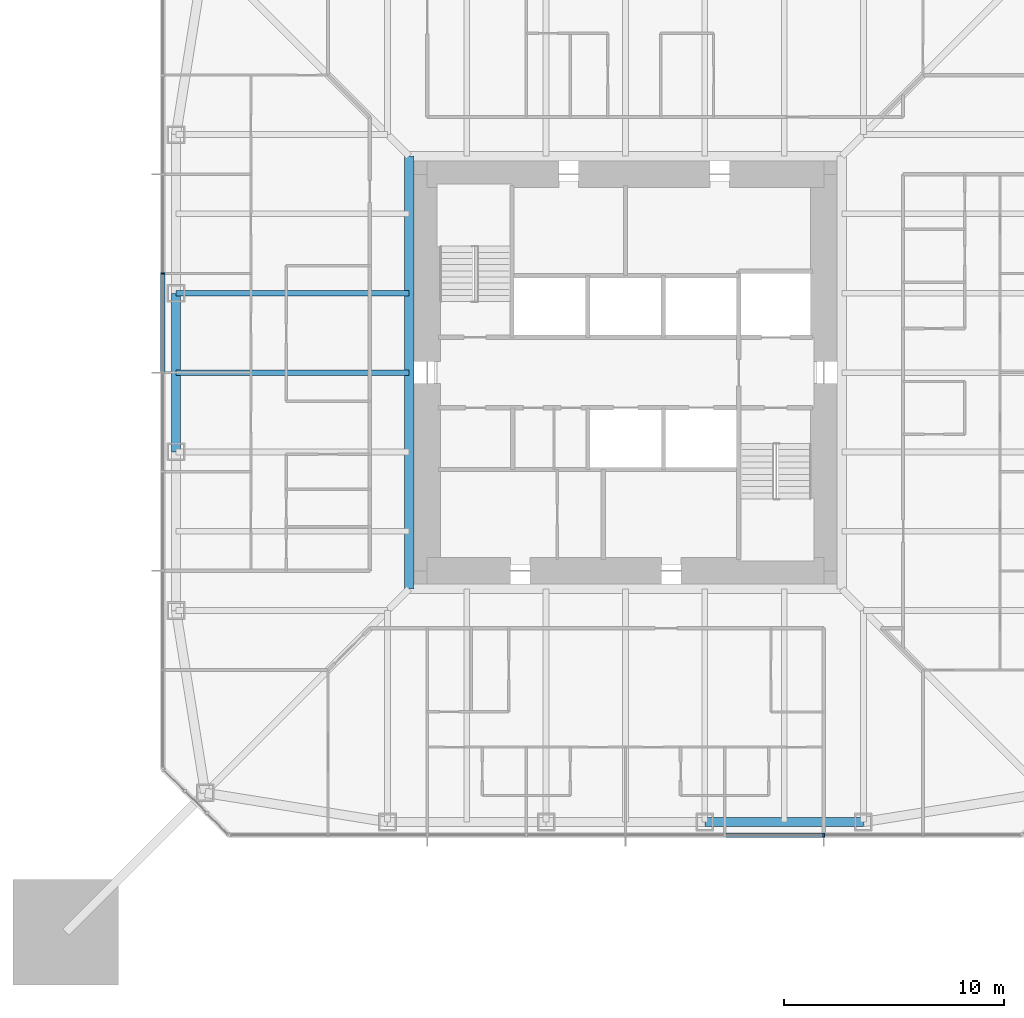
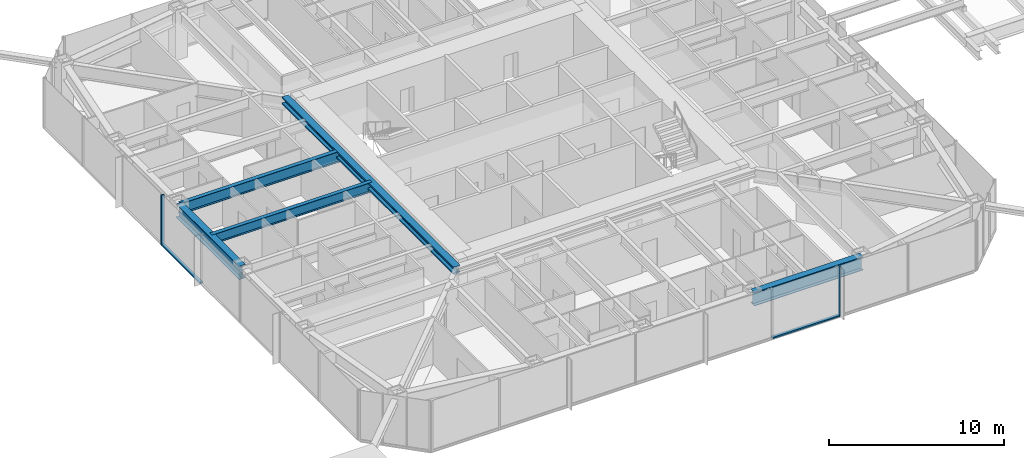
# One storey, part 4 of 27: 5 beams, 4 members, 2 elements without a shape of their own.
"""IFC4 building model written with IfcOpenShell, lengths in metres."""

import ifcopenshell
import ifcopenshell.guid

model = None  # the IFC model being written
_history = None  # IfcOwnerHistory: only IFC2X3 demands one
_inside = {}  # id of a spatial element -> (the spatial element, [elements in it])
_under = {}  # id of a project, library or spatial element -> (it, [spatial elements below it])
_declared = {}  # id of a project -> (the project, [libraries it declares])
_typed = {}  # id of a type object -> (the type object, [elements of that type])
_made_of = {}  # id of a material, layer set ... -> (it, [elements and type objects made of it])


def new_model(schema):
    """Start an empty IFC model of exactly this schema.

    Asked for "IFC4X3", IfcOpenShell would pick the latest addendum, in which some entities
    have other attributes; the version numbers below select the first issue.
    IFC2X3 requires an IfcOwnerHistory on every rooted entity: one is made here for all.
    """
    global model, _history
    if schema == "IFC4X3":
        model = ifcopenshell.file(schema_version=(4, 3, 0, 0))
    else:
        model = ifcopenshell.file(schema=schema)
    _inside.clear()
    _under.clear()
    _declared.clear()
    _typed.clear()
    _made_of.clear()
    _history = None
    if model.schema == "IFC2X3":
        org = make("IfcOrganization", Name="unknown")
        user = make(
            "IfcPersonAndOrganization",
            ThePerson=make("IfcPerson", FamilyName="unknown"),
            TheOrganization=org,
        )
        app = make(
            "IfcApplication",
            ApplicationDeveloper=org,
            Version="unknown",
            ApplicationFullName="unknown",
            ApplicationIdentifier="unknown",
        )
        _history = make(
            "IfcOwnerHistory",
            OwningUser=user,
            OwningApplication=app,
            ChangeAction="ADDED",
            CreationDate=0,
        )
    return model


def make(cls, **values):
    """One entity of the class cls with the attributes given. An attribute that is None is left unset."""
    return model.create_entity(
        cls, **{name: value for name, value in values.items() if value is not None}
    )


def rooted(cls, **values):
    """An entity with a GlobalId (a new one), such as an element, a storey or a relation."""
    return make(cls, GlobalId=ifcopenshell.guid.new(), OwnerHistory=_history, **values)


def si_unit(unit_type, name, prefix=None):
    """IfcSIUnit, for example si_unit("LENGTHUNIT", "METRE", prefix="MILLI")."""
    return make("IfcSIUnit", UnitType=unit_type, Prefix=prefix, Name=name)


def assignment(units):
    """IfcUnitAssignment: the units of a project."""
    return None if units is None else make("IfcUnitAssignment", Units=units)


def point(xyz):
    """IfcCartesianPoint."""
    return None if xyz is None else make("IfcCartesianPoint", Coordinates=xyz)


def direction(xyz):
    """IfcDirection."""
    return None if xyz is None else make("IfcDirection", DirectionRatios=xyz)


def frame(location, z_axis=None, x_axis=None):
    """IfcAxis2Placement3D, a coordinate frame: its origin and axes. An axis left out is left unset."""
    return make(
        "IfcAxis2Placement3D",
        Location=point(location),
        Axis=direction(z_axis),
        RefDirection=direction(x_axis),
    )


def frame_2d(location, x_axis=None):
    """IfcAxis2Placement2D, a coordinate frame in the plane: its origin and x axis."""
    return make(
        "IfcAxis2Placement2D", Location=point(location), RefDirection=direction(x_axis)
    )


def origin():
    """The frame at (0, 0, 0) with its axes left unset."""
    return frame((0.0, 0.0, 0.0))


def origin_2d():
    """The frame at (0, 0) in the plane with its x axis left unset."""
    return frame_2d((0.0, 0.0))


def place(relative_to, where):
    """IfcLocalPlacement: puts the frame where relative to a parent placement (None: the world)."""
    return make(
        "IfcLocalPlacement", PlacementRelTo=relative_to, RelativePlacement=where
    )


def context(
    kind, dimensions, precision=None, world=None, true_north=None, identifier=None
):
    """IfcGeometricRepresentationContext, for example the 3D "Model" context."""
    return make(
        "IfcGeometricRepresentationContext",
        ContextIdentifier=identifier,
        ContextType=kind,
        CoordinateSpaceDimension=dimensions,
        Precision=precision,
        WorldCoordinateSystem=world,
        TrueNorth=true_north,
    )


def subcontext(parent, identifier, kind, view, scale=None):
    """IfcGeometricRepresentationSubContext, for example "Body" below "Model"."""
    return make(
        "IfcGeometricRepresentationSubContext",
        ContextIdentifier=identifier,
        ContextType=kind,
        ParentContext=parent,
        TargetScale=scale,
        TargetView=view,
    )


def project(units=None, contexts=None):
    """IfcProject with its units and contexts."""
    return rooted(
        "IfcProject",
        Name="project",
        RepresentationContexts=contexts,
        UnitsInContext=assignment(units),
    )


def spatial(cls, under=None, at=None, **own):
    """A site, building, storey or space (cls), placed at a placement, below another one or the project."""
    s = rooted(cls, ObjectPlacement=at, **own)
    if under is not None:
        _under.setdefault(under.id(), (under, []))[1].append(s)
    return s


def profile(cls, at=None, kind="AREA", **sizes):
    """A parametric profile (cls). Its sizes go by their IFC names, for example OverallWidth=200.0."""
    return make(cls, ProfileType=kind, Position=at, **sizes)


def rectangle(**sizes):
    """IfcRectangleProfileDef."""
    return profile("IfcRectangleProfileDef", **sizes)


def i_section(**sizes):
    """IfcIShapeProfileDef."""
    return profile("IfcIShapeProfileDef", **sizes)


def extrude(swept, where, along, depth):
    """IfcExtrudedAreaSolid: the profile swept, set in the frame where, extruded along a direction by depth."""
    return make(
        "IfcExtrudedAreaSolid",
        SweptArea=swept,
        Position=where,
        ExtrudedDirection=direction(along),
        Depth=depth,
    )


def shape(context_of_items, identifier, shape_type, items):
    """IfcShapeRepresentation: the items that make up one representation, for example the "Body"."""
    return make(
        "IfcShapeRepresentation",
        ContextOfItems=context_of_items,
        RepresentationIdentifier=identifier,
        RepresentationType=shape_type,
        Items=items,
    )


def material(Name=None, Category=None):
    """IfcMaterial."""
    return make("IfcMaterial", Name=Name, Category=Category)


def material_profile(
    of_material, cross_section, Name=None, Category=None, Priority=None
):
    """IfcMaterialProfile: a cross section and its material."""
    return make(
        "IfcMaterialProfile",
        Name=Name,
        Material=of_material,
        Profile=cross_section,
        Priority=Priority,
        Category=Category,
    )


def profile_set(profiles, Name=None, composite=None):
    """IfcMaterialProfileSet."""
    return make(
        "IfcMaterialProfileSet",
        Name=Name,
        MaterialProfiles=profiles,
        CompositeProfile=composite,
    )


def made_of(thing, what):
    """Note that an element or type object is made of a material, layer set ...; save() writes the relation."""
    if what is not None:
        _made_of.setdefault(what.id(), (what, []))[1].append(thing)
    return thing


def type_object(cls, material=None, **own):
    """A type object (cls), such as IfcWallType, which elements share."""
    return made_of(rooted(cls, **own), material)


def element(
    cls,
    number,
    at=None,
    inside=None,
    cuts=None,
    type_object=None,
    material=None,
    context=None,
    identifier="Body",
    shape_type=None,
    held_by="IfcProductDefinitionShape",
    body=None,
    shapes=None,
    **own,
):
    """One element of the class cls, such as IfcWall. Its Tag is "e" and its number.

    at: its placement. inside: the storey or other place that contains it. cuts: it is an
    opening in that element (IfcRelVoidsElement). A single representation is given by context,
    identifier, shape_type and body (its items); several are given by shapes. held_by: the class
    of the entity that holds the representations. save() writes the other relations.
    """
    e = rooted(cls, Tag="e%d" % number, ObjectPlacement=at, **own)
    if body is not None:
        shapes = [shape(context, identifier, shape_type, body)]
    if shapes is not None:
        e.Representation = make(held_by, Representations=shapes)
    if inside is not None:
        _inside.setdefault(inside.id(), (inside, []))[1].append(e)
    if cuts is not None:
        rooted(
            "IfcRelVoidsElement", RelatingBuildingElement=cuts, RelatedOpeningElement=e
        )
    if type_object is not None:
        _typed.setdefault(type_object.id(), (type_object, []))[1].append(e)
    return made_of(e, material)


def aggregate(whole, parts):
    """IfcRelAggregates: a whole, such as a stair, and the parts it consists of."""
    return rooted("IfcRelAggregates", RelatingObject=whole, RelatedObjects=parts)


def save(model, path):
    """Write the relations noted so far, then the file.

    IfcRelAggregates (storeys below a building ...), IfcRelContainedInSpatialStructure (elements
    in a storey), IfcRelDefinesByType, IfcRelAssociatesMaterial and IfcRelDeclares: one each for
    every whole, place, type object, material and project.
    """
    for whole, parts in _under.values():
        aggregate(whole, parts)
    for where, things in _inside.values():
        rooted(
            "IfcRelContainedInSpatialStructure",
            RelatedElements=things,
            RelatingStructure=where,
        )
    for kind, things in _typed.values():
        rooted("IfcRelDefinesByType", RelatedObjects=things, RelatingType=kind)
    for what, things in _made_of.values():
        rooted("IfcRelAssociatesMaterial", RelatedObjects=things, RelatingMaterial=what)
    for by, libraries in _declared.values():
        rooted("IfcRelDeclares", RelatingContext=by, RelatedDefinitions=libraries)
    model.write(path)


model = new_model("IFC4")

# Units and contexts
model_context = context("Model", 3, precision=1e-05, world=origin(), true_north=direction((0.0, 1.0)))
body_context = subcontext(model_context, "Body", "Model", "MODEL_VIEW")
ifc_project = project(units=[si_unit("LENGTHUNIT", "METRE"), si_unit("AREAUNIT", "SQUARE_METRE"), si_unit("VOLUMEUNIT", "CUBIC_METRE"), si_unit("PLANEANGLEUNIT", "RADIAN"), si_unit("MASSUNIT", "GRAM", prefix="KILO")], contexts=[model_context])

# Site, building, storey
site_placement = place(None, origin())
site = spatial("IfcSite", under=ifc_project, at=site_placement, CompositionType="ELEMENT")
building_placement = place(site_placement, origin())
building = spatial("IfcBuilding", under=site, at=building_placement, Name="Iwan Alto Co-Living Towers", CompositionType="ELEMENT")
storey_placement = place(building_placement, frame((0.0, 0.0, 94.5)))
storey = spatial("IfcBuildingStorey", under=building, at=storey_placement, Name="L25", CompositionType="ELEMENT", Elevation=94.5)

# Curtain wall, member
ifc_material_1 = material(Name="Bronze aluminium unitised frame", Category="aluminium")
curtain_wall_type = type_object("IfcCurtainWallType", Name="CURTAIN WALL CW-A", PredefinedType="NOTDEFINED", material=ifc_material_1)
curtain_wall_1_placement = place(storey_placement, origin())
curtain_wall_1 = element("IfcCurtainWall", 1, at=curtain_wall_1_placement, inside=storey, type_object=curtain_wall_type, Name="T1 curtain wall S L25", PredefinedType="NOTDEFINED")
ifc_material_2 = material(Name="Aluminium 6063-T6 bronze anodised", Category="aluminium")
ifc_material_profile_1 = material_profile(ifc_material_2, rectangle(XDim=0.199951171875, YDim=0.080078125, at=origin_2d()), Name="AL 80X200")
ifc_profile_set_1 = profile_set([ifc_material_profile_1], Name="Aluminium 6063-T6 bronze anodised")
member_type_1 = type_object("IfcMemberType", Name="CW-A MULLION 80X200", PredefinedType="MULLION", material=ifc_profile_set_1)
member_1_placement = place(storey_placement, frame((9.0, -21.0, 0.0), z_axis=(0.0, 0.0, 1.0), x_axis=(0.0, 1.0, 0.0)))
member_1 = element("IfcMember", 2, at=member_1_placement, type_object=member_type_1, Name="CW-A mullion 7", PredefinedType="MULLION", context=body_context, shape_type="SweptSolid", body=[
    extrude(rectangle(XDim=0.199951171875, YDim=0.080078125, at=origin_2d()), origin(), (0.0, 0.0, 1.0), 3.5),
])

curtain_wall_2_placement = place(storey_placement, origin())
curtain_wall_2 = element("IfcCurtainWall", 3, at=curtain_wall_2_placement, inside=storey, type_object=curtain_wall_type, Name="T1 curtain wall W L25", PredefinedType="NOTDEFINED")
member_2_placement = place(storey_placement, frame((-21.0, 4.5, 0.0), z_axis=(0.0, 0.0, 1.0), x_axis=(1.0, 0.0, 0.0)))
member_2 = element("IfcMember", 4, at=member_2_placement, type_object=member_type_1, Name="CW-A mullion 4", PredefinedType="MULLION", context=body_context, shape_type="SweptSolid", body=[
    extrude(rectangle(XDim=0.199951171875, YDim=0.080078125, at=origin_2d()), origin(), (0.0, 0.0, 1.0), 3.5),
])

# Member
ifc_material_3 = material(Name="Aluminium 6063-T6 bronze anodised", Category="aluminium")
ifc_material_profile_2 = material_profile(ifc_material_3, rectangle(XDim=0.199951171875, YDim=0.10009765625, at=origin_2d()), Name="AL 200X100")
ifc_profile_set_2 = profile_set([ifc_material_profile_2], Name="Aluminium 6063-T6 bronze anodised")
member_type_2 = type_object("IfcMemberType", Name="CW-A TRANSOM 200X100", PredefinedType="USERDEFINED", material=ifc_profile_set_2)
member_3_placement = place(storey_placement, frame((4.5400390625, -21.0, 0.050048828125), z_axis=(1.0, 0.0, 0.0), x_axis=(0.0, 1.0, 0.0)))
member_3 = element("IfcMember", 5, at=member_3_placement, type_object=member_type_2, Name="CW-A transom 6.1", ObjectType="TRANSOM", PredefinedType="USERDEFINED", context=body_context, shape_type="SweptSolid", body=[
    extrude(rectangle(XDim=0.199951171875, YDim=0.10009765625, at=origin_2d()), origin(), (0.0, 0.0, 1.0), 4.419921875),
])

aggregate(curtain_wall_1, [member_1, member_3])

member_4_placement = place(storey_placement, frame((-21.0, 4.4599609375, 0.050048828125), z_axis=(0.0, -1.0, 0.0), x_axis=(1.0, 0.0, 0.0)))
member_4 = element("IfcMember", 6, at=member_4_placement, type_object=member_type_2, Name="CW-A transom 4.1", ObjectType="TRANSOM", PredefinedType="USERDEFINED", context=body_context, shape_type="SweptSolid", body=[
    extrude(rectangle(XDim=0.199951171875, YDim=0.10009765625, at=origin_2d()), origin(), (0.0, 0.0, 1.0), 4.419921875),
])

aggregate(curtain_wall_2, [member_2, member_4])

# Beams
ifc_material_4 = material(Name="Steel ASTM A992 Gr 50", Category="steel")
ifc_material_profile_3 = material_profile(ifc_material_4, i_section(OverallWidth=0.436767578125, OverallDepth=0.51318359375, WebThickness=0.060546875, FlangeThickness=0.096923828125, at=origin_2d()), Name="W14X550")
ifc_profile_set_3 = profile_set([ifc_material_profile_3], Name="Steel ASTM A992 Gr 50")
beam_type_1 = type_object("IfcBeamType", Name="T1 CORE LEDGER BEAM W14X550", PredefinedType="BEAM", material=ifc_profile_set_3)
beam_1_placement = place(storey_placement, frame((-9.818359375, 9.818359375, 3.013427734375), z_axis=(0.0, -1.0, 0.0), x_axis=(1.0, 0.0, 0.0)))
element("IfcBeam", 7, at=beam_1_placement, inside=storey, type_object=beam_type_1, Name="T1 core ledger beam W L26", PredefinedType="BEAM", context=body_context, shape_type="SweptSolid", body=[
    extrude(i_section(OverallWidth=0.436767578125, OverallDepth=0.51318359375, WebThickness=0.060546875, FlangeThickness=0.096923828125, at=origin_2d()), origin(), (0.0, 0.0, 1.0), 19.63671875),
])
ifc_material_5 = material(Name="Steel ASTM A992 Gr 50", Category="steel")
ifc_material_profile_4 = material_profile(ifc_material_5, i_section(OverallWidth=0.424072265625, OverallDepth=0.947509765625, WebThickness=0.02392578125, FlangeThickness=0.042724609375, at=origin_2d()), Name="W36X302")
ifc_profile_set_4 = profile_set([ifc_material_profile_4], Name="Steel ASTM A992 Gr 50")
beam_type_2 = type_object("IfcBeamType", Name="T1 EDGE BEAM W36X302", PredefinedType="BEAM", material=ifc_profile_set_4)
beam_2_placement = place(storey_placement, frame((3.60009765625, -20.39990234375, 2.79638671875), z_axis=(1.0, 0.0, 0.0), x_axis=(0.0, 1.0, 0.0)))
element("IfcBeam", 8, at=beam_2_placement, inside=storey, type_object=beam_type_2, Name="T1 edge beam S3 L26", PredefinedType="BEAM", context=body_context, shape_type="SweptSolid", body=[
    extrude(i_section(OverallWidth=0.424072265625, OverallDepth=0.947509765625, WebThickness=0.02392578125, FlangeThickness=0.042724609375, at=origin_2d()), origin(), (0.0, 0.0, 1.0), 7.199951171875),
])
beam_3_placement = place(storey_placement, frame((-20.39990234375, 3.60009765625, 2.79638671875), z_axis=(0.0, -1.0, 0.0), x_axis=(1.0, 0.0, 0.0)))
element("IfcBeam", 9, at=beam_3_placement, inside=storey, type_object=beam_type_2, Name="T1 edge beam W2 L26", PredefinedType="BEAM", context=body_context, shape_type="SweptSolid", body=[
    extrude(i_section(OverallWidth=0.424072265625, OverallDepth=0.947509765625, WebThickness=0.02392578125, FlangeThickness=0.042724609375, at=origin_2d()), origin(), (0.0, 0.0, 1.0), 7.2001953125),
])
ifc_material_6 = material(Name="Steel ASTM A992 Gr 50", Category="steel")
ifc_material_profile_5 = material_profile(ifc_material_6, i_section(OverallWidth=0.2666015625, OverallDepth=0.761962890625, WebThickness=0.014404296875, FlangeThickness=0.021484375, at=origin_2d()), Name="W30X116")
ifc_profile_set_5 = profile_set([ifc_material_profile_5], Name="Steel ASTM A992 Gr 50")
beam_type_3 = type_object("IfcBeamType", Name="T1 RADIAL BEAM W30X116", PredefinedType="BEAM", material=ifc_profile_set_5)
beam_4_placement = place(storey_placement, frame((-20.39990234375, 3.60009765625, 2.888916015625), z_axis=(1.0, 0.0, 0.0), x_axis=(0.0, 1.0, 0.0)))
element("IfcBeam", 10, at=beam_4_placement, inside=storey, type_object=beam_type_3, Name="T1 radial beam W2 L26", PredefinedType="BEAM", context=body_context, shape_type="SweptSolid", body=[
    extrude(i_section(OverallWidth=0.2666015625, OverallDepth=0.761962890625, WebThickness=0.014404296875, FlangeThickness=0.021484375, at=origin_2d()), origin(), (0.0, 0.0, 1.0), 10.58154296875),
])
ifc_material_7 = material(Name="Steel ASTM A992 Gr 50", Category="steel")
ifc_material_profile_6 = material_profile(ifc_material_7, i_section(OverallWidth=0.25390625, OverallDepth=0.683349609375, WebThickness=0.012451171875, FlangeThickness=0.018798828125, at=origin_2d()), Name="W27X94")
ifc_profile_set_6 = profile_set([ifc_material_profile_6], Name="Steel ASTM A992 Gr 50")
beam_type_4 = type_object("IfcBeamType", Name="T1 SECONDARY BEAM W27X94", PredefinedType="JOIST", material=ifc_profile_set_6)
beam_5_placement = place(storey_placement, frame((-20.39990234375, 0.0, 2.928466796875), z_axis=(1.0, 0.0, 0.0), x_axis=(0.0, 1.0, 0.0)))
element("IfcBeam", 11, at=beam_5_placement, inside=storey, type_object=beam_type_4, Name="T1 secondary beam W2 L26", PredefinedType="JOIST", context=body_context, shape_type="SweptSolid", body=[
    extrude(i_section(OverallWidth=0.25390625, OverallDepth=0.683349609375, WebThickness=0.012451171875, FlangeThickness=0.018798828125, at=origin_2d()), origin(), (0.0, 0.0, 1.0), 10.58154296875),
])

save(model, "model.ifc")
